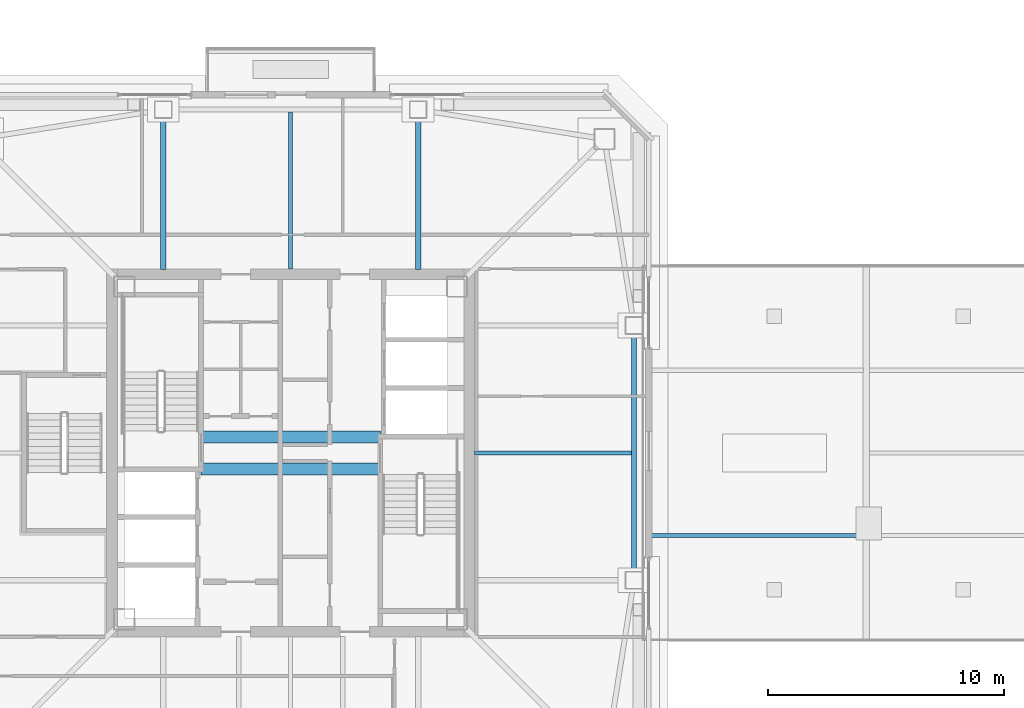
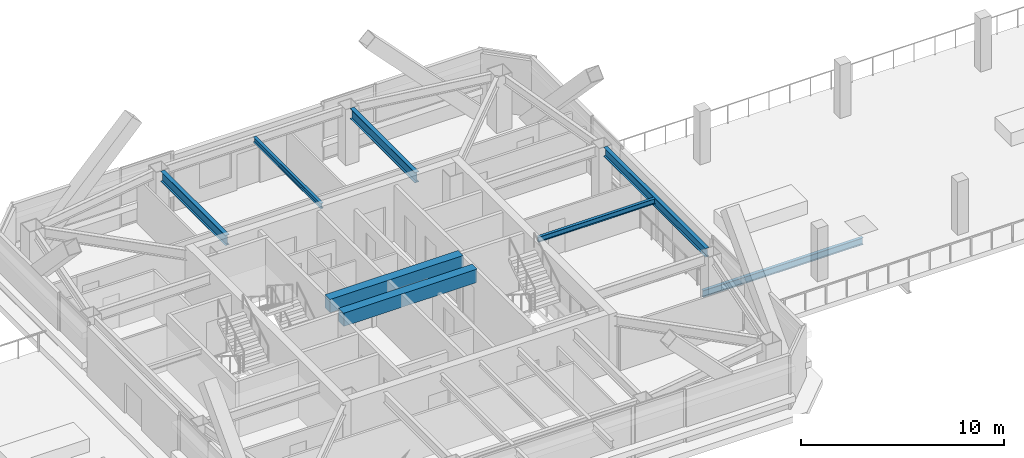
# One storey, part 10 of 37: 8 beams.
"""IFC4 building model written with IfcOpenShell, lengths in metres."""

from ifc_helpers import new_model, si_unit, direction, frame, origin, origin_2d, place, context, subcontext, project, spatial, rectangle, i_section, extrude, material, material_profile, profile_set, type_object, element, save


model = new_model("IFC4")

# Units and contexts
model_context = context("Model", 3, precision=1e-05, world=origin(), true_north=direction((0.0, 1.0)))
body_context = subcontext(model_context, "Body", "Model", "MODEL_VIEW")
ifc_project = project(units=[si_unit("LENGTHUNIT", "METRE"), si_unit("AREAUNIT", "SQUARE_METRE"), si_unit("VOLUMEUNIT", "CUBIC_METRE"), si_unit("PLANEANGLEUNIT", "RADIAN"), si_unit("MASSUNIT", "GRAM", prefix="KILO")], contexts=[model_context])

# Site, building, storey
site_placement = place(None, origin())
site = spatial("IfcSite", under=ifc_project, at=site_placement, CompositionType="ELEMENT")
building_placement = place(site_placement, origin())
building = spatial("IfcBuilding", under=site, at=building_placement, Name="Tashvorn Skyway Center", CompositionType="ELEMENT")
storey_placement = place(building_placement, frame((0.0, 0.0, 263.39990234375)))
storey = spatial("IfcBuildingStorey", under=building, at=storey_placement, Name="L71", CompositionType="ELEMENT", Elevation=263.39990234375)

# Beams
ifc_material_1 = material(Name="Steel ASTM A992 Grade 50", Category="steel")
ifc_material_profile_1 = material_profile(ifc_material_1, i_section(OverallWidth=0.22998046875, OverallDepth=0.616943359375, WebThickness=0.01318359375, FlangeThickness=0.022216796875, at=origin_2d()), Name="W24X94")
ifc_profile_set_1 = profile_set([ifc_material_profile_1], Name="Steel ASTM A992 Grade 50")
beam_type_1 = type_object("IfcBeamType", Name="BM-BEAM-W24X94", PredefinedType="BEAM", material=ifc_profile_set_1)
for number, where, z_axis, x_axis, name in (
    (1, (47.39990234375, 46.179931640625, 3.0615234375), (0.0, -1.0, 0.0), (1.0, 0.0, 0.0), "Tower 1 L71 Primary Floor Girder FC-N1"),
    (2, (36.60009765625, 46.179931640625, 3.0615234375), (0.0, -1.0, 0.0), (1.0, 0.0, 0.0), "Tower 1 L71 Primary Floor Girder FC-N2"),
):
    element("IfcBeam", number, at=place(storey_placement, frame(where, z_axis=z_axis, x_axis=x_axis)), inside=storey, type_object=beam_type_1, Name=name, PredefinedType="BEAM", context=body_context, shape_type="SweptSolid", body=[
        extrude(i_section(OverallWidth=0.22998046875, OverallDepth=0.616943359375, WebThickness=0.01318359375, FlangeThickness=0.022216796875, at=origin_2d()), origin(), (0.0, 0.0, 1.0), 6.39990234375),
    ])
ifc_material_profile_2 = material_profile(ifc_material_1, i_section(OverallWidth=0.1650390625, OverallDepth=0.31005859375, WebThickness=0.005859375, FlangeThickness=0.009765625, at=origin_2d()), Name="W12X26")
ifc_profile_set_2 = profile_set([ifc_material_profile_2], Name="Steel ASTM A992 Grade 50")
beam_type_2 = type_object("IfcBeamType", Name="BM-JOIST-W12X26", PredefinedType="JOIST", material=ifc_profile_set_2)
for number, where, z_axis, x_axis, name in (
    (3, (42.0, 39.7900390625, 3.215087890625), (0.0, 1.0, 0.0), (-1.0, 0.0, 0.0), "Tower 1 L71 Secondary Composite Joist JN"),
    (4, (49.7900390625, 32.0, 3.215087890625), (1.0, 0.0, 0.0), (0.0, 1.0, 0.0), "Tower 1 L71 Secondary Composite Joist JE"),
):
    element("IfcBeam", number, at=place(storey_placement, frame(where, z_axis=z_axis, x_axis=x_axis)), inside=storey, type_object=beam_type_2, Name=name, PredefinedType="JOIST", context=body_context, shape_type="SweptSolid", body=[
        extrude(i_section(OverallWidth=0.1650390625, OverallDepth=0.31005859375, WebThickness=0.005859375, FlangeThickness=0.009765625, at=origin_2d()), origin(), (0.0, 0.0, 1.0), 6.662353515625),
    ])
ifc_material_profile_3 = material_profile(ifc_material_1, i_section(OverallWidth=0.177978515625, OverallDepth=0.406005859375, WebThickness=0.0078125, FlangeThickness=0.0126953125, at=origin_2d()), Name="W16X40")
ifc_profile_set_3 = profile_set([ifc_material_profile_3], Name="Steel ASTM A992 Grade 50")
beam_type_3 = type_object("IfcBeamType", Name="BM-JOIST-W16X40", PredefinedType="JOIST", material=ifc_profile_set_3)
beam_1_placement = place(storey_placement, frame((57.1494140625, 28.5, -0.5029296875), z_axis=(1.0, 0.0, 0.0), x_axis=(0.0, 1.0, 0.0)))
element("IfcBeam", 5, at=beam_1_placement, inside=storey, type_object=beam_type_3, Name="Sky-Park L71 Longitudinal Joist 06-1", PredefinedType="JOIST", context=body_context, shape_type="SweptSolid", body=[
    extrude(i_section(OverallWidth=0.177978515625, OverallDepth=0.406005859375, WebThickness=0.0078125, FlangeThickness=0.0126953125, at=origin_2d()), origin(), (0.0, 0.0, 1.0), 9.125),
])
ifc_material_2 = material(Name="Concrete C50/60", Category="concrete")
ifc_material_profile_4 = material_profile(ifc_material_2, rectangle(XDim=0.5, YDim=0.800048828125, at=origin_2d()), Name="RCB500x800")
ifc_profile_set_4 = profile_set([ifc_material_profile_4], Name="Concrete C50/60")
beam_type_4 = type_object("IfcBeamType", Name="BM-LINTEL-RCB500x800", PredefinedType="LINTEL", material=ifc_profile_set_4)
for number, where, z_axis, x_axis, name in (
    (6, (38.199951171875, 32.679931640625, 2.97021484375), (1.0, 0.0, 0.0), (0.0, 1.0, 0.0), "Tower 1 L71 Core Coupling Beam CN"),
    (7, (38.199951171875, 31.320068359375, 2.97021484375), (1.0, 0.0, 0.0), (0.0, 1.0, 0.0), "Tower 1 L71 Core Coupling Beam CS"),
):
    element("IfcBeam", number, at=place(storey_placement, frame(where, z_axis=z_axis, x_axis=x_axis)), inside=storey, type_object=beam_type_4, Name=name, PredefinedType="LINTEL", context=body_context, shape_type="SweptSolid", body=[
        extrude(rectangle(XDim=0.5, YDim=0.800048828125, at=origin_2d()), origin(), (0.0, 0.0, 1.0), 7.60009765625),
    ])
ifc_material_profile_5 = material_profile(ifc_material_1, i_section(OverallWidth=0.2109375, OverallDepth=0.5390625, WebThickness=0.01171875, FlangeThickness=0.018798828125, at=origin_2d()), Name="W21X73")
ifc_profile_set_5 = profile_set([ifc_material_profile_5], Name="Steel ASTM A992 Grade 50")
beam_type_5 = type_object("IfcBeamType", Name="BM-SPANDREL-W21X73", PredefinedType="SPANDREL", material=ifc_profile_set_5)
beam_2_placement = place(storey_placement, frame((56.550048828125, 26.969970703125, 3.1005859375), z_axis=(0.0, 1.0, 0.0), x_axis=(-1.0, 0.0, 0.0)))
element("IfcBeam", 8, at=beam_2_placement, inside=storey, type_object=beam_type_5, Name="Tower 1 L71 Spandrel Beam 05", PredefinedType="SPANDREL", context=body_context, shape_type="SweptSolid", body=[
    extrude(i_section(OverallWidth=0.2109375, OverallDepth=0.5390625, WebThickness=0.01171875, FlangeThickness=0.018798828125, at=origin_2d()), origin(), (0.0, 0.0, 1.0), 10.06005859375),
])

save(model, "model.ifc")
